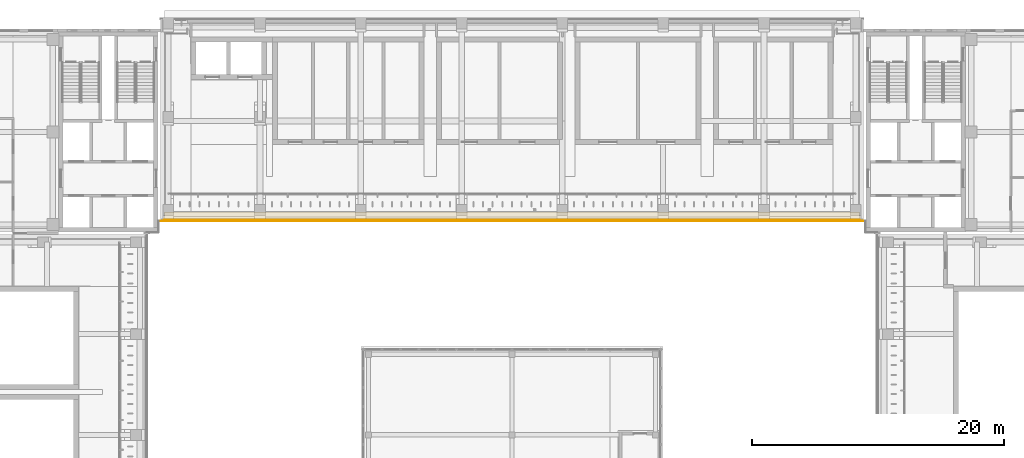
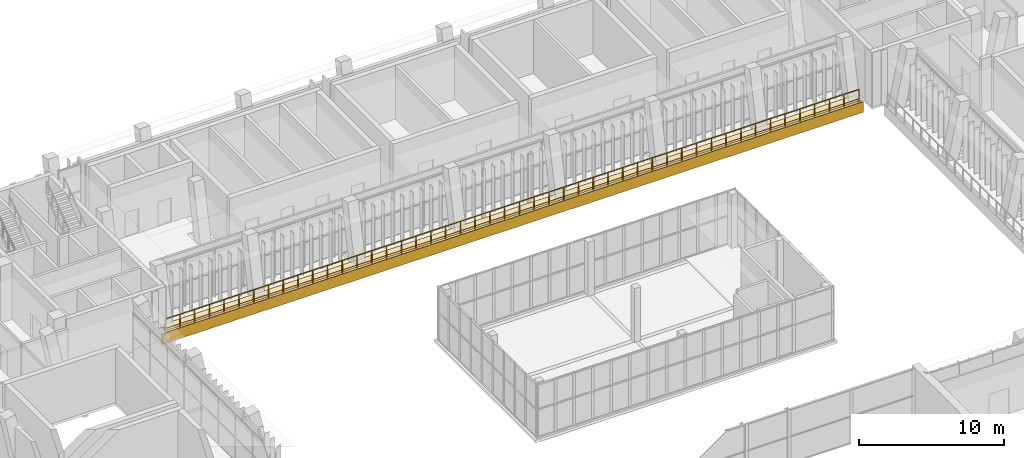
# One storey, part 84 of 92: 2 coverings, 1 railing.
"""IFC4 building model written with IfcOpenShell, lengths in metres."""

import ifcopenshell
import ifcopenshell.guid

model = None  # the IFC model being written
_history = None  # IfcOwnerHistory: only IFC2X3 demands one
_inside = {}  # id of a spatial element -> (the spatial element, [elements in it])
_under = {}  # id of a project, library or spatial element -> (it, [spatial elements below it])
_declared = {}  # id of a project -> (the project, [libraries it declares])
_typed = {}  # id of a type object -> (the type object, [elements of that type])
_made_of = {}  # id of a material, layer set ... -> (it, [elements and type objects made of it])


def new_model(schema):
    """Start an empty IFC model of exactly this schema.

    Asked for "IFC4X3", IfcOpenShell would pick the latest addendum, in which some entities
    have other attributes; the version numbers below select the first issue.
    IFC2X3 requires an IfcOwnerHistory on every rooted entity: one is made here for all.
    """
    global model, _history
    if schema == "IFC4X3":
        model = ifcopenshell.file(schema_version=(4, 3, 0, 0))
    else:
        model = ifcopenshell.file(schema=schema)
    _inside.clear()
    _under.clear()
    _declared.clear()
    _typed.clear()
    _made_of.clear()
    _history = None
    if model.schema == "IFC2X3":
        org = make("IfcOrganization", Name="unknown")
        user = make(
            "IfcPersonAndOrganization",
            ThePerson=make("IfcPerson", FamilyName="unknown"),
            TheOrganization=org,
        )
        app = make(
            "IfcApplication",
            ApplicationDeveloper=org,
            Version="unknown",
            ApplicationFullName="unknown",
            ApplicationIdentifier="unknown",
        )
        _history = make(
            "IfcOwnerHistory",
            OwningUser=user,
            OwningApplication=app,
            ChangeAction="ADDED",
            CreationDate=0,
        )
    return model


def make(cls, **values):
    """One entity of the class cls with the attributes given. An attribute that is None is left unset."""
    return model.create_entity(
        cls, **{name: value for name, value in values.items() if value is not None}
    )


def rooted(cls, **values):
    """An entity with a GlobalId (a new one), such as an element, a storey or a relation."""
    return make(cls, GlobalId=ifcopenshell.guid.new(), OwnerHistory=_history, **values)


def si_unit(unit_type, name, prefix=None):
    """IfcSIUnit, for example si_unit("LENGTHUNIT", "METRE", prefix="MILLI")."""
    return make("IfcSIUnit", UnitType=unit_type, Prefix=prefix, Name=name)


def assignment(units):
    """IfcUnitAssignment: the units of a project."""
    return None if units is None else make("IfcUnitAssignment", Units=units)


def point(xyz):
    """IfcCartesianPoint."""
    return None if xyz is None else make("IfcCartesianPoint", Coordinates=xyz)


def direction(xyz):
    """IfcDirection."""
    return None if xyz is None else make("IfcDirection", DirectionRatios=xyz)


def frame(location, z_axis=None, x_axis=None):
    """IfcAxis2Placement3D, a coordinate frame: its origin and axes. An axis left out is left unset."""
    return make(
        "IfcAxis2Placement3D",
        Location=point(location),
        Axis=direction(z_axis),
        RefDirection=direction(x_axis),
    )


def frame_2d(location, x_axis=None):
    """IfcAxis2Placement2D, a coordinate frame in the plane: its origin and x axis."""
    return make(
        "IfcAxis2Placement2D", Location=point(location), RefDirection=direction(x_axis)
    )


def origin():
    """The frame at (0, 0, 0) with its axes left unset."""
    return frame((0.0, 0.0, 0.0))


def origin_2d():
    """The frame at (0, 0) in the plane with its x axis left unset."""
    return frame_2d((0.0, 0.0))


def place(relative_to, where):
    """IfcLocalPlacement: puts the frame where relative to a parent placement (None: the world)."""
    return make(
        "IfcLocalPlacement", PlacementRelTo=relative_to, RelativePlacement=where
    )


def context(
    kind, dimensions, precision=None, world=None, true_north=None, identifier=None
):
    """IfcGeometricRepresentationContext, for example the 3D "Model" context."""
    return make(
        "IfcGeometricRepresentationContext",
        ContextIdentifier=identifier,
        ContextType=kind,
        CoordinateSpaceDimension=dimensions,
        Precision=precision,
        WorldCoordinateSystem=world,
        TrueNorth=true_north,
    )


def subcontext(parent, identifier, kind, view, scale=None):
    """IfcGeometricRepresentationSubContext, for example "Body" below "Model"."""
    return make(
        "IfcGeometricRepresentationSubContext",
        ContextIdentifier=identifier,
        ContextType=kind,
        ParentContext=parent,
        TargetScale=scale,
        TargetView=view,
    )


def project(units=None, contexts=None):
    """IfcProject with its units and contexts."""
    return rooted(
        "IfcProject",
        Name="project",
        RepresentationContexts=contexts,
        UnitsInContext=assignment(units),
    )


def spatial(cls, under=None, at=None, **own):
    """A site, building, storey or space (cls), placed at a placement, below another one or the project."""
    s = rooted(cls, ObjectPlacement=at, **own)
    if under is not None:
        _under.setdefault(under.id(), (under, []))[1].append(s)
    return s


def polyline(points):
    """IfcPolyline through the points."""
    return make("IfcPolyline", Points=[point(p) for p in points])


def profile(cls, at=None, kind="AREA", **sizes):
    """A parametric profile (cls). Its sizes go by their IFC names, for example OverallWidth=200.0."""
    return make(cls, ProfileType=kind, Position=at, **sizes)


def rectangle(**sizes):
    """IfcRectangleProfileDef."""
    return profile("IfcRectangleProfileDef", **sizes)


def circle(**sizes):
    """IfcCircleProfileDef."""
    return profile("IfcCircleProfileDef", **sizes)


def outline(outer, holes=None, kind="AREA"):
    """IfcArbitraryClosedProfileDef: a profile drawn as a closed curve; with holes, ...WithVoids."""
    if holes is None:
        return make("IfcArbitraryClosedProfileDef", ProfileType=kind, OuterCurve=outer)
    return make(
        "IfcArbitraryProfileDefWithVoids",
        ProfileType=kind,
        OuterCurve=outer,
        InnerCurves=holes,
    )


def extrude(swept, where, along, depth):
    """IfcExtrudedAreaSolid: the profile swept, set in the frame where, extruded along a direction by depth."""
    return make(
        "IfcExtrudedAreaSolid",
        SweptArea=swept,
        Position=where,
        ExtrudedDirection=direction(along),
        Depth=depth,
    )


def shape(context_of_items, identifier, shape_type, items):
    """IfcShapeRepresentation: the items that make up one representation, for example the "Body"."""
    return make(
        "IfcShapeRepresentation",
        ContextOfItems=context_of_items,
        RepresentationIdentifier=identifier,
        RepresentationType=shape_type,
        Items=items,
    )


def material(Name=None, Category=None):
    """IfcMaterial."""
    return make("IfcMaterial", Name=Name, Category=Category)


def layer(
    of_material, thickness, ventilated=None, Name=None, Category=None, Priority=None
):
    """IfcMaterialLayer: one layer of a wall or slab, of a material (None: an air gap)."""
    return make(
        "IfcMaterialLayer",
        Material=of_material,
        LayerThickness=thickness,
        IsVentilated=ventilated,
        Name=Name,
        Category=Category,
        Priority=Priority,
    )


def layer_set(layers, Name=None):
    """IfcMaterialLayerSet."""
    return make("IfcMaterialLayerSet", MaterialLayers=layers, LayerSetName=Name)


def made_of(thing, what):
    """Note that an element or type object is made of a material, layer set ...; save() writes the relation."""
    if what is not None:
        _made_of.setdefault(what.id(), (what, []))[1].append(thing)
    return thing


def type_object(cls, material=None, **own):
    """A type object (cls), such as IfcWallType, which elements share."""
    return made_of(rooted(cls, **own), material)


def element(
    cls,
    number,
    at=None,
    inside=None,
    cuts=None,
    type_object=None,
    material=None,
    context=None,
    identifier="Body",
    shape_type=None,
    held_by="IfcProductDefinitionShape",
    body=None,
    shapes=None,
    **own,
):
    """One element of the class cls, such as IfcWall. Its Tag is "e" and its number.

    at: its placement. inside: the storey or other place that contains it. cuts: it is an
    opening in that element (IfcRelVoidsElement). A single representation is given by context,
    identifier, shape_type and body (its items); several are given by shapes. held_by: the class
    of the entity that holds the representations. save() writes the other relations.
    """
    e = rooted(cls, Tag="e%d" % number, ObjectPlacement=at, **own)
    if body is not None:
        shapes = [shape(context, identifier, shape_type, body)]
    if shapes is not None:
        e.Representation = make(held_by, Representations=shapes)
    if inside is not None:
        _inside.setdefault(inside.id(), (inside, []))[1].append(e)
    if cuts is not None:
        rooted(
            "IfcRelVoidsElement", RelatingBuildingElement=cuts, RelatedOpeningElement=e
        )
    if type_object is not None:
        _typed.setdefault(type_object.id(), (type_object, []))[1].append(e)
    return made_of(e, material)


def aggregate(whole, parts):
    """IfcRelAggregates: a whole, such as a stair, and the parts it consists of."""
    return rooted("IfcRelAggregates", RelatingObject=whole, RelatedObjects=parts)


def save(model, path):
    """Write the relations noted so far, then the file.

    IfcRelAggregates (storeys below a building ...), IfcRelContainedInSpatialStructure (elements
    in a storey), IfcRelDefinesByType, IfcRelAssociatesMaterial and IfcRelDeclares: one each for
    every whole, place, type object, material and project.
    """
    for whole, parts in _under.values():
        aggregate(whole, parts)
    for where, things in _inside.values():
        rooted(
            "IfcRelContainedInSpatialStructure",
            RelatedElements=things,
            RelatingStructure=where,
        )
    for kind, things in _typed.values():
        rooted("IfcRelDefinesByType", RelatedObjects=things, RelatingType=kind)
    for what, things in _made_of.values():
        rooted("IfcRelAssociatesMaterial", RelatedObjects=things, RelatingMaterial=what)
    for by, libraries in _declared.values():
        rooted("IfcRelDeclares", RelatingContext=by, RelatedDefinitions=libraries)
    model.write(path)


model = new_model("IFC4")

# Units and contexts
model_context = context("Model", 3, precision=1e-05, world=origin(), true_north=direction((0.0, 1.0)))
body_context = subcontext(model_context, "Body", "Model", "MODEL_VIEW")
ifc_project = project(units=[si_unit("LENGTHUNIT", "METRE"), si_unit("AREAUNIT", "SQUARE_METRE"), si_unit("VOLUMEUNIT", "CUBIC_METRE"), si_unit("PLANEANGLEUNIT", "RADIAN"), si_unit("MASSUNIT", "GRAM", prefix="KILO")], contexts=[model_context])

# Site, building, storey
site_placement = place(None, origin())
site = spatial("IfcSite", under=ifc_project, at=site_placement, CompositionType="ELEMENT")
building_placement = place(site_placement, origin())
building = spatial("IfcBuilding", under=site, at=building_placement, Name="Lantern Court Media Centre", CompositionType="ELEMENT")
storey_placement = place(building_placement, frame((0.0, 0.0, 4.800048828125)))
storey = spatial("IfcBuildingStorey", under=building, at=storey_placement, Name="L01", CompositionType="ELEMENT", Elevation=4.800048828125)

# Covering
ifc_material_1 = material(Name="White glass-fibre reinforced cement cladding", Category="concrete")
ifc_layer_1 = layer(ifc_material_1, 0.050048828125)
ifc_layer_set_1 = layer_set([ifc_layer_1], Name="White glass-fibre reinforced cement cladding")
covering_type_1 = type_object("IfcCoveringType", Name="Floor-edge band 50", PredefinedType="CLADDING", material=ifc_layer_set_1)
covering_1_placement = place(storey_placement, frame((24.10009765625, 96.97509765625, -0.900146484375), z_axis=(0.0, 0.0, 1.0), x_axis=(1.0, 0.0, 0.0)))
element("IfcCovering", 1, at=covering_1_placement, inside=storey, type_object=covering_type_1, Name="Floor-edge band N inner L01", PredefinedType="CLADDING", context=body_context, shape_type="SweptSolid", body=[
    extrude(rectangle(XDim=55.7998046875, YDim=0.050048828125, at=frame_2d((27.89990234375, 0.0))), origin(), (0.0, 0.0, 1.0), 0.900146484375),
])

# Railing
ifc_material_2 = material(Name="Painted mild steel balustrade", Category="steel")
railing_type = type_object("IfcRailingType", Name="Guard 1100 steel balustrade", PredefinedType="GUARDRAIL", material=ifc_material_2)
railing_placement = place(storey_placement, frame((24.39990234375, 97.050048828125, 0.0)))
element("IfcRailing", 2, at=railing_placement, inside=storey, type_object=railing_type, Name="Ledge guard N L01", PredefinedType="GUARDRAIL", context=body_context, shape_type="SweptSolid", body=[
    extrude(circle(Radius=0.02392578125, at=origin_2d()), frame((0.0, 0.0, 1.076171875), z_axis=(1.0, 0.0, 0.0), x_axis=(0.0, 1.0, 0.0)), (0.0, 0.0, 1.0), 55.2001953125),
    extrude(circle(Radius=0.02099609375, at=origin_2d()), origin(), (0.0, 0.0, 1.0), 1.052001953125),
    extrude(circle(Radius=0.02099609375, at=origin_2d()), frame((1.174560546875, 0.0, 0.0)), (0.0, 0.0, 1.0), 1.052001953125),
    extrude(circle(Radius=0.02099609375, at=origin_2d()), frame((2.348876953125, 0.0, 0.0)), (0.0, 0.0, 1.0), 1.052001953125),
    extrude(circle(Radius=0.02099609375, at=origin_2d()), frame((3.5234375, 0.0, 0.0)), (0.0, 0.0, 1.0), 1.052001953125),
    extrude(circle(Radius=0.02099609375, at=origin_2d()), frame((4.697998046875, 0.0, 0.0)), (0.0, 0.0, 1.0), 1.052001953125),
    extrude(circle(Radius=0.02099609375, at=origin_2d()), frame((5.872314453125, 0.0, 0.0)), (0.0, 0.0, 1.0), 1.052001953125),
    extrude(circle(Radius=0.02099609375, at=origin_2d()), frame((7.046875, 0.0, 0.0)), (0.0, 0.0, 1.0), 1.052001953125),
    extrude(circle(Radius=0.02099609375, at=origin_2d()), frame((8.22119140625, 0.0, 0.0)), (0.0, 0.0, 1.0), 1.052001953125),
    extrude(circle(Radius=0.02099609375, at=origin_2d()), frame((9.395751953125, 0.0, 0.0)), (0.0, 0.0, 1.0), 1.052001953125),
    extrude(circle(Radius=0.02099609375, at=origin_2d()), frame((10.5703125, 0.0, 0.0)), (0.0, 0.0, 1.0), 1.052001953125),
    extrude(circle(Radius=0.02099609375, at=origin_2d()), frame((11.74462890625, 0.0, 0.0)), (0.0, 0.0, 1.0), 1.052001953125),
    extrude(circle(Radius=0.02099609375, at=origin_2d()), frame((12.919189453125, 0.0, 0.0)), (0.0, 0.0, 1.0), 1.052001953125),
    extrude(circle(Radius=0.02099609375, at=origin_2d()), frame((14.09375, 0.0, 0.0)), (0.0, 0.0, 1.0), 1.052001953125),
    extrude(circle(Radius=0.02099609375, at=origin_2d()), frame((15.26806640625, 0.0, 0.0)), (0.0, 0.0, 1.0), 1.052001953125),
    extrude(circle(Radius=0.02099609375, at=origin_2d()), frame((16.442626953125, 0.0, 0.0)), (0.0, 0.0, 1.0), 1.052001953125),
    extrude(circle(Radius=0.02099609375, at=origin_2d()), frame((17.6171875, 0.0, 0.0)), (0.0, 0.0, 1.0), 1.052001953125),
    extrude(circle(Radius=0.02099609375, at=origin_2d()), frame((18.79150390625, 0.0, 0.0)), (0.0, 0.0, 1.0), 1.052001953125),
    extrude(circle(Radius=0.02099609375, at=origin_2d()), frame((19.966064453125, 0.0, 0.0)), (0.0, 0.0, 1.0), 1.052001953125),
    extrude(circle(Radius=0.02099609375, at=origin_2d()), frame((21.140380859375, 0.0, 0.0)), (0.0, 0.0, 1.0), 1.052001953125),
    extrude(circle(Radius=0.02099609375, at=origin_2d()), frame((22.31494140625, 0.0, 0.0)), (0.0, 0.0, 1.0), 1.052001953125),
    extrude(circle(Radius=0.02099609375, at=origin_2d()), frame((23.489501953125, 0.0, 0.0)), (0.0, 0.0, 1.0), 1.052001953125),
    extrude(circle(Radius=0.02099609375, at=origin_2d()), frame((24.663818359375, 0.0, 0.0)), (0.0, 0.0, 1.0), 1.052001953125),
    extrude(circle(Radius=0.02099609375, at=origin_2d()), frame((25.83837890625, 0.0, 0.0)), (0.0, 0.0, 1.0), 1.052001953125),
    extrude(circle(Radius=0.02099609375, at=origin_2d()), frame((27.012939453125, 0.0, 0.0)), (0.0, 0.0, 1.0), 1.052001953125),
    extrude(circle(Radius=0.02099609375, at=origin_2d()), frame((28.187255859375, 0.0, 0.0)), (0.0, 0.0, 1.0), 1.052001953125),
    extrude(circle(Radius=0.02099609375, at=origin_2d()), frame((29.36181640625, 0.0, 0.0)), (0.0, 0.0, 1.0), 1.052001953125),
    extrude(circle(Radius=0.02099609375, at=origin_2d()), frame((30.536376953125, 0.0, 0.0)), (0.0, 0.0, 1.0), 1.052001953125),
    extrude(circle(Radius=0.02099609375, at=origin_2d()), frame((31.710693359375, 0.0, 0.0)), (0.0, 0.0, 1.0), 1.052001953125),
    extrude(circle(Radius=0.02099609375, at=origin_2d()), frame((32.88525390625, 0.0, 0.0)), (0.0, 0.0, 1.0), 1.052001953125),
    extrude(circle(Radius=0.02099609375, at=origin_2d()), frame((34.059814453125, 0.0, 0.0)), (0.0, 0.0, 1.0), 1.052001953125),
    extrude(circle(Radius=0.02099609375, at=origin_2d()), frame((35.234130859375, 0.0, 0.0)), (0.0, 0.0, 1.0), 1.052001953125),
    extrude(circle(Radius=0.02099609375, at=origin_2d()), frame((36.40869140625, 0.0, 0.0)), (0.0, 0.0, 1.0), 1.052001953125),
    extrude(circle(Radius=0.02099609375, at=origin_2d()), frame((37.5830078125, 0.0, 0.0)), (0.0, 0.0, 1.0), 1.052001953125),
    extrude(circle(Radius=0.02099609375, at=origin_2d()), frame((38.757568359375, 0.0, 0.0)), (0.0, 0.0, 1.0), 1.052001953125),
    extrude(circle(Radius=0.02099609375, at=origin_2d()), frame((39.93212890625, 0.0, 0.0)), (0.0, 0.0, 1.0), 1.052001953125),
    extrude(circle(Radius=0.02099609375, at=origin_2d()), frame((41.1064453125, 0.0, 0.0)), (0.0, 0.0, 1.0), 1.052001953125),
    extrude(circle(Radius=0.02099609375, at=origin_2d()), frame((42.281005859375, 0.0, 0.0)), (0.0, 0.0, 1.0), 1.052001953125),
    extrude(circle(Radius=0.02099609375, at=origin_2d()), frame((43.45556640625, 0.0, 0.0)), (0.0, 0.0, 1.0), 1.052001953125),
    extrude(circle(Radius=0.02099609375, at=origin_2d()), frame((44.6298828125, 0.0, 0.0)), (0.0, 0.0, 1.0), 1.052001953125),
    extrude(circle(Radius=0.02099609375, at=origin_2d()), frame((45.804443359375, 0.0, 0.0)), (0.0, 0.0, 1.0), 1.052001953125),
    extrude(circle(Radius=0.02099609375, at=origin_2d()), frame((46.97900390625, 0.0, 0.0)), (0.0, 0.0, 1.0), 1.052001953125),
    extrude(circle(Radius=0.02099609375, at=origin_2d()), frame((48.1533203125, 0.0, 0.0)), (0.0, 0.0, 1.0), 1.052001953125),
    extrude(circle(Radius=0.02099609375, at=origin_2d()), frame((49.327880859375, 0.0, 0.0)), (0.0, 0.0, 1.0), 1.052001953125),
    extrude(circle(Radius=0.02099609375, at=origin_2d()), frame((50.502197265625, 0.0, 0.0)), (0.0, 0.0, 1.0), 1.052001953125),
    extrude(circle(Radius=0.02099609375, at=origin_2d()), frame((51.6767578125, 0.0, 0.0)), (0.0, 0.0, 1.0), 1.052001953125),
    extrude(circle(Radius=0.02099609375, at=origin_2d()), frame((52.851318359375, 0.0, 0.0)), (0.0, 0.0, 1.0), 1.052001953125),
    extrude(circle(Radius=0.02099609375, at=origin_2d()), frame((54.025634765625, 0.0, 0.0)), (0.0, 0.0, 1.0), 1.052001953125),
    extrude(circle(Radius=0.02099609375, at=origin_2d()), frame((55.2001953125, 0.0, 0.0)), (0.0, 0.0, 1.0), 1.052001953125),
])

# Covering
ifc_material_3 = material(Name="Planting substrate")
ifc_layer_2 = layer(ifc_material_3, 0.199951171875)
ifc_layer_set_2 = layer_set([ifc_layer_2], Name="Planting substrate")
covering_type_2 = type_object("IfcCoveringType", Name="Planted ledge build-up 200", PredefinedType="ROOFING", material=ifc_layer_set_2)
covering_2_placement = place(storey_placement, origin())
element("IfcCovering", 3, at=covering_2_placement, inside=storey, type_object=covering_type_2, Name="Planted ledge N L01", PredefinedType="ROOFING", context=body_context, shape_type="SweptSolid", body=[
    extrude(outline(polyline([(24.39990234375, 97.14990234375), (79.60009765625, 97.14990234375), (79.60009765625, 97.679931640625), (24.39990234375, 97.679931640625), (24.39990234375, 97.14990234375)])), origin(), (0.0, 0.0, 1.0), 0.199951171875),
])

save(model, "model.ifc")
